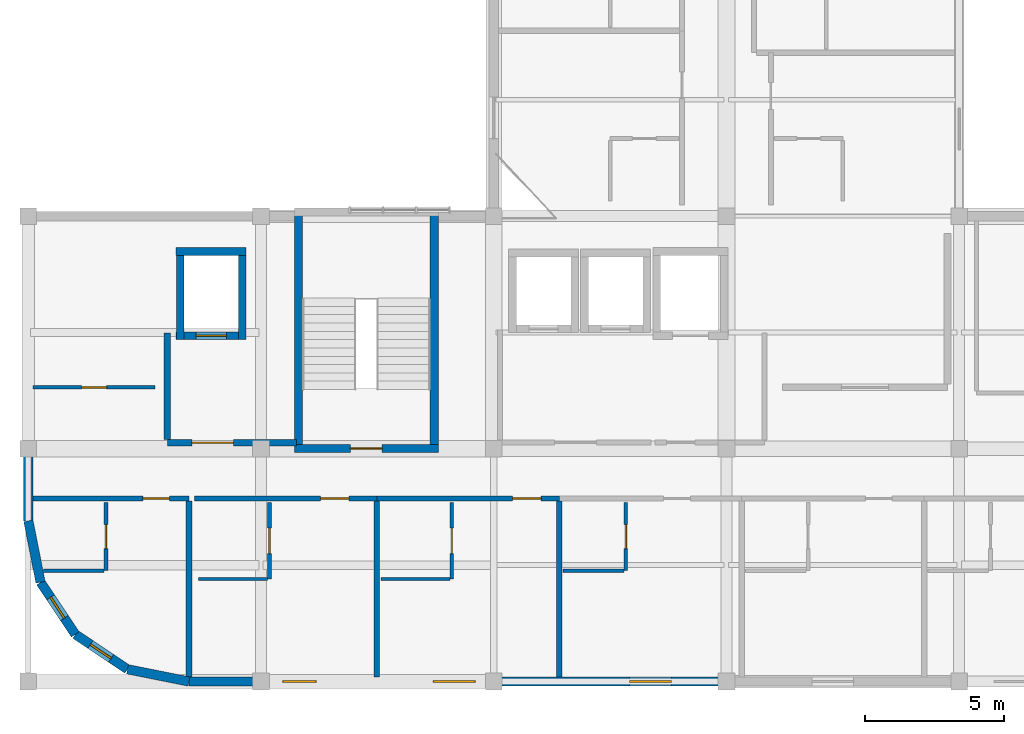
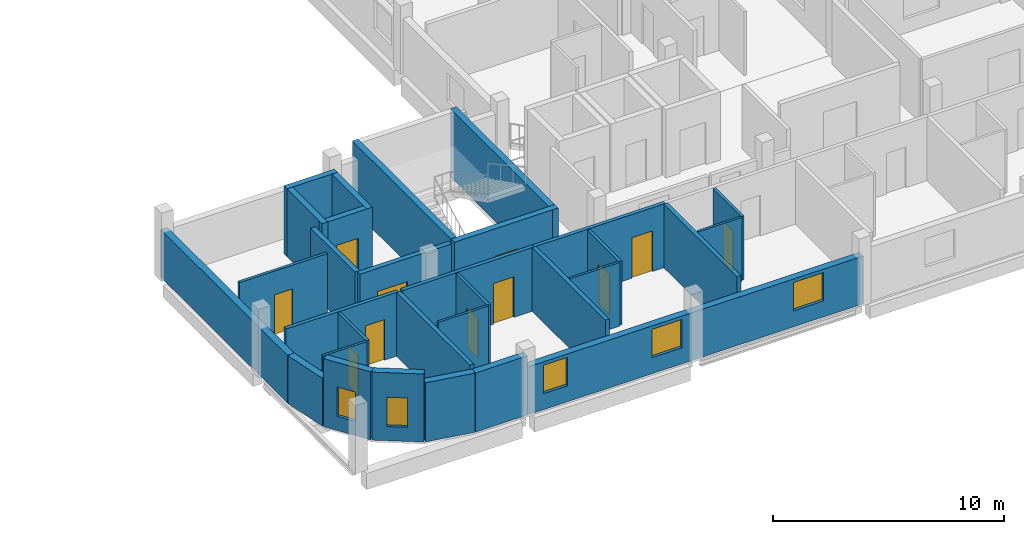
# One storey, part 11 of 24: 31 walls, 11 doors, 5 windows, 16 openings.
"""IFC4 building model written with IfcOpenShell, lengths in metres."""

from ifc_helpers import new_model, si_unit, derived_unit, direction, frame, frame_2d, origin, place, context, subcontext, project, spatial, rectangle, extrude, material, layer, layer_set, type_object, element, fill, save


model = new_model("IFC4")

# Units and contexts
model_context = context("Model", 3, precision=1e-05, world=origin(), true_north=direction((0.0, 1.0)))
body_context = subcontext(model_context, "Body", "Model", "MODEL_VIEW")
ifc_project = project(units=[si_unit("LENGTHUNIT", "METRE"), si_unit("AREAUNIT", "SQUARE_METRE"), si_unit("VOLUMEUNIT", "CUBIC_METRE"), si_unit("PLANEANGLEUNIT", "RADIAN"), si_unit("MASSUNIT", "GRAM", prefix="KILO"), derived_unit("THERMALTRANSMITTANCEUNIT", [(si_unit("POWERUNIT", "WATT"), 1), (si_unit("LENGTHUNIT", "METRE"), -2), (si_unit("THERMODYNAMICTEMPERATUREUNIT", "KELVIN"), -1)])], contexts=[model_context])

# Site, building, storey
site_placement = place(None, origin())
site = spatial("IfcSite", under=ifc_project, at=site_placement, CompositionType="ELEMENT")
building_placement = place(site_placement, origin())
building = spatial("IfcBuilding", under=site, at=building_placement, Name="Barrovel Congress Hotel", CompositionType="ELEMENT")
storey_placement = place(building_placement, frame((0.0, 0.0, 29.10009765625)))
storey = spatial("IfcBuildingStorey", under=building, at=storey_placement, Name="L07", CompositionType="ELEMENT", Elevation=29.10009765625)

# Wall
ifc_material_1 = material(Name="Fired Clay Brick Masonry", Category="masonry")
ifc_layer_1 = layer(ifc_material_1, 0.340087890625)
ifc_layer_set_1 = layer_set([ifc_layer_1], Name="Fired Clay Brick Masonry")
wall_type_1 = type_object("IfcWallType", Name="EW-BRK340", PredefinedType="STANDARD", material=ifc_layer_set_1)
wall_1_placement = place(storey_placement, frame((16.800048828125, 10.0, 0.0), z_axis=(0.0, 0.0, 1.0), x_axis=(0.195057908159, -0.980791727363, 0.0)))
element("IfcWall", 1, at=wall_1_placement, inside=storey, type_object=wall_type_1, Name="EW:L07:PROW-1", PredefinedType="STANDARD", context=body_context, shape_type="SweptSolid", body=[
    extrude(rectangle(XDim=2.262939453125, YDim=0.340087890625, at=frame_2d((1.13134765625, 0.0))), origin(), (0.0, 0.0, 1.0), 2.52978515625),
])

# Wall, opening, window
wall_2_placement = place(storey_placement, frame((17.241455078125, 7.780517578125, 0.0), z_axis=(0.0, 0.0, 1.0), x_axis=(0.555546297918, -0.831485604728, 0.0)))
wall_2 = element("IfcWall", 2, at=wall_2_placement, inside=storey, type_object=wall_type_1, Name="EW:L07:PROW-2", PredefinedType="STANDARD", context=body_context, shape_type="SweptSolid", body=[
    extrude(rectangle(XDim=2.26318359375, YDim=0.340087890625, at=frame_2d((1.131591796875, 0.0))), origin(), (0.0, 0.0, 1.0), 3.599853515625),
])
opening_1_placement = place(wall_2_placement, frame((0.64990234375, 0.0, 0.75)))
opening_1 = element("IfcOpeningElement", 3, at=opening_1_placement, cuts=wall_2, Name="Opening WN-11", PredefinedType="OPENING", context=body_context, shape_type="SweptSolid", body=[
    extrude(rectangle(XDim=0.89990234375, YDim=1.550048828125, at=frame_2d((0.449951171875, 0.77490234375))), frame((0.0, 0.18017578125, 0.0), z_axis=(0.0, -1.0, 0.0), x_axis=(1.0, 0.0, 0.0)), (0.0, 0.0, 1.0), 0.360107421875),
])
ifc_material_2 = material(Name="Double Low-E Insulated Glazing", Category="glass")
window_type_1 = type_object("IfcWindowType", Name="WIN-WN-11", PartitioningType="SINGLE_PANEL", PredefinedType="WINDOW", material=ifc_material_2)
window_1_placement = place(opening_1_placement, origin())
window_1 = element("IfcWindow", 4, at=window_1_placement, inside=storey, type_object=window_type_1, Name="WIN:L07:PROW-2", OverallHeight=1.550048828125, OverallWidth=0.89990234375, PartitioningType="SINGLE_PANEL", PredefinedType="WINDOW", context=body_context, shape_type="SweptSolid", body=[
    extrude(rectangle(XDim=0.89990234375, YDim=1.550048828125, at=frame_2d((0.449951171875, 0.77490234375))), frame((0.0, 0.030029296875, 0.0), z_axis=(0.0, -1.0, 0.0), x_axis=(1.0, 0.0, 0.0)), (0.0, 0.0, 1.0), 0.06005859375),
])
fill(opening_1, window_1)

wall_3_placement = place(storey_placement, frame((18.498779296875, 5.898681640625, 0.0), z_axis=(0.0, 0.0, 1.0), x_axis=(0.831502143458, -0.555521543618, 0.0)))
wall_3 = element("IfcWall", 5, at=wall_3_placement, inside=storey, type_object=wall_type_1, Name="EW:L07:PROW-3", PredefinedType="STANDARD", context=body_context, shape_type="SweptSolid", body=[
    extrude(rectangle(XDim=2.262939453125, YDim=0.340087890625, at=frame_2d((1.13134765625, 0.0))), origin(), (0.0, 0.0, 1.0), 3.599853515625),
])
opening_2_placement = place(wall_3_placement, frame((0.64990234375, 0.0, 0.75)))
opening_2 = element("IfcOpeningElement", 6, at=opening_2_placement, cuts=wall_3, Name="Opening WN-11", PredefinedType="OPENING", context=body_context, shape_type="SweptSolid", body=[
    extrude(rectangle(XDim=0.89990234375, YDim=1.550048828125, at=frame_2d((0.449951171875, 0.77490234375))), frame((0.0, 0.18017578125, 0.0), z_axis=(0.0, -1.0, 0.0), x_axis=(1.0, 0.0, 0.0)), (0.0, 0.0, 1.0), 0.360107421875),
])
window_2_placement = place(opening_2_placement, origin())
window_2 = element("IfcWindow", 7, at=window_2_placement, inside=storey, type_object=window_type_1, Name="WIN:L07:PROW-3", OverallHeight=1.550048828125, OverallWidth=0.89990234375, PartitioningType="SINGLE_PANEL", PredefinedType="WINDOW", context=body_context, shape_type="SweptSolid", body=[
    extrude(rectangle(XDim=0.89990234375, YDim=1.550048828125, at=frame_2d((0.449951171875, 0.77490234375))), frame((0.0, 0.030029296875, 0.0), z_axis=(0.0, -1.0, 0.0), x_axis=(1.0, 0.0, 0.0)), (0.0, 0.0, 1.0), 0.06005859375),
])
fill(opening_2, window_2)

# Wall
wall_4_placement = place(storey_placement, frame((20.38037109375, 4.6416015625, 0.0), z_axis=(0.0, 0.0, 1.0), x_axis=(0.98077519094, -0.195141038321, 0.0)))
element("IfcWall", 8, at=wall_4_placement, inside=storey, type_object=wall_type_1, Name="EW:L07:PROW-4", PredefinedType="STANDARD", context=body_context, shape_type="SweptSolid", body=[
    extrude(rectangle(XDim=2.26318359375, YDim=0.340087890625, at=frame_2d((1.131591796875, 0.0))), origin(), (0.0, 0.0, 1.0), 3.1328125),
])

# Wall, openings, windows
wall_5_placement = place(storey_placement, frame((25.199951171875, 4.199951171875, 0.0), z_axis=(0.0, 0.0, 1.0), x_axis=(1.0, 0.0, 0.0)))
wall_5 = element("IfcWall", 9, at=wall_5_placement, inside=storey, type_object=wall_type_1, Name="EW:L07:HS-S", PredefinedType="STANDARD", context=body_context, shape_type="SweptSolid", body=[
    extrude(rectangle(XDim=16.800048828125, YDim=0.340087890625, at=frame_2d((8.39990234375, 0.0))), origin(), (0.0, 0.0, 1.0), 2.52978515625),
])
opening_3_placement = place(wall_5_placement, frame((0.791748046875, 0.0, 0.85009765625)))
opening_3 = element("IfcOpeningElement", 10, at=opening_3_placement, cuts=wall_5, Name="Opening WN-06", PredefinedType="OPENING", context=body_context, shape_type="SweptSolid", body=[
    extrude(rectangle(XDim=1.199951171875, YDim=1.5, at=frame_2d((0.60009765625, 0.75))), frame((0.0, 0.18017578125, 0.0), z_axis=(0.0, -1.0, 0.0), x_axis=(1.0, 0.0, 0.0)), (0.0, 0.0, 1.0), 0.360107421875),
])
opening_4_placement = place(wall_5_placement, frame((6.22509765625, 0.0, 0.85009765625)))
opening_4 = element("IfcOpeningElement", 11, at=opening_4_placement, cuts=wall_5, Name="Opening WN-07", PredefinedType="OPENING", context=body_context, shape_type="SweptSolid", body=[
    extrude(rectangle(XDim=1.5, YDim=1.5, at=frame_2d((0.75, 0.75))), frame((0.0, 0.18017578125, 0.0), z_axis=(0.0, -1.0, 0.0), x_axis=(1.0, 0.0, 0.0)), (0.0, 0.0, 1.0), 0.360107421875),
])
opening_5_placement = place(wall_5_placement, frame((13.308349609375, 0.0, 0.85009765625)))
opening_5 = element("IfcOpeningElement", 12, at=opening_5_placement, cuts=wall_5, Name="Opening WN-07", PredefinedType="OPENING", context=body_context, shape_type="SweptSolid", body=[
    extrude(rectangle(XDim=1.5, YDim=1.5, at=frame_2d((0.75, 0.75))), frame((0.0, 0.18017578125, 0.0), z_axis=(0.0, -1.0, 0.0), x_axis=(1.0, 0.0, 0.0)), (0.0, 0.0, 1.0), 0.360107421875),
])
window_type_2 = type_object("IfcWindowType", Name="WIN-WN-06", PartitioningType="SINGLE_PANEL", PredefinedType="WINDOW", material=ifc_material_2)
window_3_placement = place(opening_3_placement, origin())
window_3 = element("IfcWindow", 13, at=window_3_placement, inside=storey, type_object=window_type_2, Name="WIN:L07:U02", OverallHeight=1.5, OverallWidth=1.199951171875, PartitioningType="SINGLE_PANEL", PredefinedType="WINDOW", context=body_context, shape_type="SweptSolid", body=[
    extrude(rectangle(XDim=1.199951171875, YDim=1.5, at=frame_2d((0.60009765625, 0.75))), frame((0.0, 0.030029296875, 0.0), z_axis=(0.0, -1.0, 0.0), x_axis=(1.0, 0.0, 0.0)), (0.0, 0.0, 1.0), 0.06005859375),
])
fill(opening_3, window_3)
window_type_3 = type_object("IfcWindowType", Name="WIN-WN-07", PartitioningType="SINGLE_PANEL", PredefinedType="WINDOW", material=ifc_material_2)
window_4_placement = place(opening_4_placement, origin())
window_4 = element("IfcWindow", 14, at=window_4_placement, inside=storey, type_object=window_type_3, Name="WIN:L07:U03", OverallHeight=1.5, OverallWidth=1.5, PartitioningType="SINGLE_PANEL", PredefinedType="WINDOW", context=body_context, shape_type="SweptSolid", body=[
    extrude(rectangle(XDim=1.5, YDim=1.5, at=frame_2d((0.75, 0.75))), frame((0.0, 0.030029296875, 0.0), z_axis=(0.0, -1.0, 0.0), x_axis=(1.0, 0.0, 0.0)), (0.0, 0.0, 1.0), 0.06005859375),
])
fill(opening_4, window_4)
window_5_placement = place(opening_5_placement, origin())
window_5 = element("IfcWindow", 15, at=window_5_placement, inside=storey, type_object=window_type_3, Name="WIN:L07:U04", OverallHeight=1.5, OverallWidth=1.5, PartitioningType="SINGLE_PANEL", PredefinedType="WINDOW", context=body_context, shape_type="SweptSolid", body=[
    extrude(rectangle(XDim=1.5, YDim=1.5, at=frame_2d((0.75, 0.75))), frame((0.0, 0.030029296875, 0.0), z_axis=(0.0, -1.0, 0.0), x_axis=(1.0, 0.0, 0.0)), (0.0, 0.0, 1.0), 0.06005859375),
])
fill(opening_5, window_5)

# Walls
wall_6_placement = place(storey_placement, frame((16.800048828125, 21.0, 0.0), z_axis=(0.0, 0.0, 1.0), x_axis=(0.0, -1.0, 0.0)))
element("IfcWall", 16, at=wall_6_placement, inside=storey, type_object=wall_type_1, Name="EW:L07:HS-SW", PredefinedType="STANDARD", context=body_context, shape_type="SweptSolid", body=[
    extrude(rectangle(XDim=11.0, YDim=0.340087890625, at=frame_2d((5.5, 0.0))), origin(), (0.0, 0.0, 1.0), 2.52978515625),
])
wall_7_placement = place(storey_placement, frame((22.60009765625, 4.199951171875, 0.0), z_axis=(0.0, 0.0, 1.0), x_axis=(1.0, 0.0, 0.0)))
element("IfcWall", 17, at=wall_7_placement, inside=storey, type_object=wall_type_1, Name="EW:L07:HS-S:P01", PredefinedType="STANDARD", context=body_context, shape_type="SweptSolid", body=[
    extrude(rectangle(XDim=2.599853515625, YDim=0.340087890625, at=frame_2d((1.2998046875, 0.0))), origin(), (0.0, 0.0, 1.0), 3.1328125),
])

# Wall, opening, door
ifc_material_3 = material(Name="Gypsum Acoustic Stud", Category="gypsum")
ifc_layer_2 = layer(ifc_material_3, 0.179931640625)
ifc_layer_set_2 = layer_set([ifc_layer_2], Name="Gypsum Acoustic Stud")
wall_type_2 = type_object("IfcWallType", Name="PW-ACU-180", PredefinedType="PARTITIONING", material=ifc_layer_set_2)
wall_8_placement = place(storey_placement, frame((16.969970703125, 10.800048828125, 0.0), z_axis=(0.0, 0.0, 1.0), x_axis=(1.0, 0.0, 0.0)))
wall_8 = element("IfcWall", 18, at=wall_8_placement, inside=storey, type_object=wall_type_2, Name="PW:L07:U01:COR", PredefinedType="PARTITIONING", context=body_context, shape_type="SweptSolid", body=[
    extrude(rectangle(XDim=5.630126953125, YDim=0.179931640625, at=frame_2d((2.81494140625, 0.0))), origin(), (0.0, 0.0, 1.0), 3.375),
])
opening_6_placement = place(wall_8_placement, frame((3.965087890625, 0.0, 0.0)))
opening_6 = element("IfcOpeningElement", 19, at=opening_6_placement, cuts=wall_8, Name="Opening ID-HTL", PredefinedType="OPENING", context=body_context, shape_type="SweptSolid", body=[
    extrude(rectangle(XDim=0.9599609375, YDim=2.14990234375, at=frame_2d((0.47998046875, 1.074951171875))), frame((0.0, 0.10009765625, 0.0), z_axis=(0.0, -1.0, 0.0), x_axis=(1.0, 0.0, 0.0)), (0.0, 0.0, 1.0), 0.199951171875),
])
ifc_material_4 = material(Name="Solid Oak Acoustic Timber Door", Category="wood")
door_type_1 = type_object("IfcDoorType", Name="IDR-ID-HTL", OperationType="NOTDEFINED", PredefinedType="DOOR", material=ifc_material_4)
door_1_placement = place(opening_6_placement, origin())
door_1 = element("IfcDoor", 20, at=door_1_placement, inside=storey, type_object=door_type_1, Name="DR:L07:U01:ENT", OperationType="SINGLE_SWING_RIGHT", OverallHeight=2.14990234375, OverallWidth=0.9599609375, PredefinedType="DOOR", context=body_context, shape_type="SweptSolid", body=[
    extrude(rectangle(XDim=0.9599609375, YDim=2.14990234375, at=frame_2d((0.47998046875, 1.074951171875))), frame((0.0, 0.02490234375, 0.0), z_axis=(0.0, -1.0, 0.0), x_axis=(1.0, 0.0, 0.0)), (0.0, 0.0, 1.0), 0.050048828125),
])
fill(opening_6, door_1)

wall_9_placement = place(storey_placement, frame((22.800048828125, 10.800048828125, 0.0), z_axis=(0.0, 0.0, 1.0), x_axis=(1.0, 0.0, 0.0)))
wall_9 = element("IfcWall", 21, at=wall_9_placement, inside=storey, type_object=wall_type_2, Name="PW:L07:U02:COR", PredefinedType="PARTITIONING", context=body_context, shape_type="SweptSolid", body=[
    extrude(rectangle(XDim=6.583251953125, YDim=0.179931640625, at=frame_2d((3.29150390625, 0.0))), origin(), (0.0, 0.0, 1.0), 3.375),
])
opening_7_placement = place(wall_9_placement, frame((4.552490234375, 0.0, 0.0)))
opening_7 = element("IfcOpeningElement", 22, at=opening_7_placement, cuts=wall_9, Name="Opening ID-ACC", PredefinedType="OPENING", context=body_context, shape_type="SweptSolid", body=[
    extrude(rectangle(XDim=1.02001953125, YDim=2.14990234375, at=frame_2d((0.510009765625, 1.074951171875))), frame((0.0, 0.10009765625, 0.0), z_axis=(0.0, -1.0, 0.0), x_axis=(1.0, 0.0, 0.0)), (0.0, 0.0, 1.0), 0.199951171875),
])
door_type_2 = type_object("IfcDoorType", Name="IDR-ID-ACC", OperationType="NOTDEFINED", PredefinedType="DOOR", material=ifc_material_4)
door_2_placement = place(opening_7_placement, origin())
door_2 = element("IfcDoor", 23, at=door_2_placement, inside=storey, type_object=door_type_2, Name="DR:L07:U02:ENT", OperationType="SINGLE_SWING_RIGHT", OverallHeight=2.14990234375, OverallWidth=1.02001953125, PredefinedType="DOOR", context=body_context, shape_type="SweptSolid", body=[
    extrude(rectangle(XDim=1.02001953125, YDim=2.14990234375, at=frame_2d((0.510009765625, 1.074951171875))), frame((0.0, 0.02490234375, 0.0), z_axis=(0.0, -1.0, 0.0), x_axis=(1.0, 0.0, 0.0)), (0.0, 0.0, 1.0), 0.050048828125),
])
fill(opening_7, door_2)

wall_10_placement = place(storey_placement, frame((29.38330078125, 10.800048828125, 0.0), z_axis=(0.0, 0.0, 1.0), x_axis=(1.0, 0.0, 0.0)))
wall_10 = element("IfcWall", 24, at=wall_10_placement, inside=storey, type_object=wall_type_2, Name="PW:L07:U03:COR", PredefinedType="PARTITIONING", context=body_context, shape_type="SweptSolid", body=[
    extrude(rectangle(XDim=6.58349609375, YDim=0.179931640625, at=frame_2d((3.291748046875, 0.0))), origin(), (0.0, 0.0, 1.0), 3.375),
])
opening_8_placement = place(wall_10_placement, frame((4.902587890625, 0.0, 0.0)))
opening_8 = element("IfcOpeningElement", 25, at=opening_8_placement, cuts=wall_10, Name="Opening ID-ACC", PredefinedType="OPENING", context=body_context, shape_type="SweptSolid", body=[
    extrude(rectangle(XDim=1.02001953125, YDim=2.14990234375, at=frame_2d((0.510009765625, 1.074951171875))), frame((0.0, 0.10009765625, 0.0), z_axis=(0.0, -1.0, 0.0), x_axis=(1.0, 0.0, 0.0)), (0.0, 0.0, 1.0), 0.199951171875),
])
door_3_placement = place(opening_8_placement, origin())
door_3 = element("IfcDoor", 26, at=door_3_placement, inside=storey, type_object=door_type_2, Name="DR:L07:U03:ENT", OperationType="SINGLE_SWING_RIGHT", OverallHeight=2.14990234375, OverallWidth=1.02001953125, PredefinedType="DOOR", context=body_context, shape_type="SweptSolid", body=[
    extrude(rectangle(XDim=1.02001953125, YDim=2.14990234375, at=frame_2d((0.510009765625, 1.074951171875))), frame((0.0, 0.02490234375, 0.0), z_axis=(0.0, -1.0, 0.0), x_axis=(1.0, 0.0, 0.0)), (0.0, 0.0, 1.0), 0.050048828125),
])
fill(opening_8, door_3)

# Walls
ifc_layer_3 = layer(ifc_material_3, 0.1201171875)
ifc_layer_set_3 = layer_set([ifc_layer_3], Name="Gypsum Acoustic Stud")
wall_type_3 = type_object("IfcWallType", Name="PW-INT-120", PredefinedType="PARTITIONING", material=ifc_layer_set_3)
wall_11_placement = place(storey_placement, frame((17.340087890625, 8.199951171875, 0.0), z_axis=(0.0, 0.0, 1.0), x_axis=(1.0, 0.0, 0.0)))
element("IfcWall", 27, at=wall_11_placement, inside=storey, type_object=wall_type_3, Name="PW:L07:U01:B2", PredefinedType="PARTITIONING", context=body_context, shape_type="SweptSolid", body=[
    extrude(rectangle(XDim=2.18994140625, YDim=0.1201171875, at=frame_2d((1.094970703125, 0.0))), origin(), (0.0, 0.0, 1.0), 3.375),
])
for number, where, z_axis, x_axis, name in (
    (28, (22.93994140625, 7.89990234375, 0.0), (0.0, 0.0, 1.0), (1.0, 0.0, 0.0), "PW:L07:U02:B2"),
    (29, (29.523193359375, 7.89990234375, 0.0), (0.0, 0.0, 1.0), (1.0, 0.0, 0.0), "PW:L07:U03:B2"),
):
    element("IfcWall", number, at=place(storey_placement, frame(where, z_axis=z_axis, x_axis=x_axis)), inside=storey, type_object=wall_type_3, Name=name, PredefinedType="PARTITIONING", context=body_context, shape_type="SweptSolid", body=[
        extrude(rectangle(XDim=2.489990234375, YDim=0.1201171875, at=frame_2d((1.2451171875, 0.0))), origin(), (0.0, 0.0, 1.0), 3.375),
    ])
wall_12_placement = place(storey_placement, frame((36.106689453125, 8.199951171875, 0.0), z_axis=(0.0, 0.0, 1.0), x_axis=(1.0, 0.0, 0.0)))
element("IfcWall", 30, at=wall_12_placement, inside=storey, type_object=wall_type_3, Name="PW:L07:U04:B2", PredefinedType="PARTITIONING", context=body_context, shape_type="SweptSolid", body=[
    extrude(rectangle(XDim=2.18994140625, YDim=0.1201171875, at=frame_2d((1.094970703125, 0.0))), origin(), (0.0, 0.0, 1.0), 3.375),
])
ifc_layer_4 = layer(ifc_material_1, 0.199951171875)
ifc_layer_set_4 = layer_set([ifc_layer_4], Name="Fired Clay Brick Masonry")
wall_type_4 = type_object("IfcWallType", Name="PW-MAS-200", PredefinedType="PARTITIONING", material=ifc_layer_set_4)
for number, where, z_axis, x_axis, name in (
    (31, (22.60009765625, 4.3701171875, 0.0), (0.0, 0.0, 1.0), (0.0, 1.0, 0.0), "PW:L07:U01:DEM"),
    (32, (29.38330078125, 4.3701171875, 0.0), (0.0, 0.0, 1.0), (0.0, 1.0, 0.0), "PW:L07:U02:DEM"),
    (33, (35.966796875, 4.3701171875, 0.0), (0.0, 0.0, 1.0), (0.0, 1.0, 0.0), "PW:L07:U03:DEM"),
):
    element("IfcWall", number, at=place(storey_placement, frame(where, z_axis=z_axis, x_axis=x_axis)), inside=storey, type_object=wall_type_4, Name=name, PredefinedType="PARTITIONING", context=body_context, shape_type="SweptSolid", body=[
        extrude(rectangle(XDim=6.33984375, YDim=0.199951171875, at=frame_2d((3.169921875, 0.0))), origin(), (0.0, 0.0, 1.0), 3.375),
    ])

# Wall, opening, door
ifc_layer_5 = layer(ifc_material_1, 0.239990234375)
ifc_layer_set_5 = layer_set([ifc_layer_5], Name="Fired Clay Brick Masonry")
wall_type_5 = type_object("IfcWallType", Name="PW-MAS-240", PredefinedType="PARTITIONING", material=ifc_layer_set_5)
wall_13_placement = place(storey_placement, frame((21.820068359375, 12.820068359375, 0.0), z_axis=(0.0, 0.0, 1.0), x_axis=(1.0, 0.0, 0.0)))
wall_13 = element("IfcWall", 34, at=wall_13_placement, inside=storey, type_object=wall_type_5, Name="RW:SP:L07:FFL-1:S", PredefinedType="PARTITIONING", context=body_context, shape_type="SweptSolid", body=[
    extrude(rectangle(XDim=4.659912109375, YDim=0.239990234375, at=frame_2d((2.330078125, 0.0))), origin(), (0.0, 0.0, 1.0), 3.375),
])
opening_9_placement = place(wall_13_placement, frame((0.8798828125, 0.0, 0.0)))
opening_9 = element("IfcOpeningElement", 35, at=opening_9_placement, cuts=wall_13, Name="Opening ID-FFL", PredefinedType="OPENING", context=body_context, shape_type="SweptSolid", body=[
    extrude(rectangle(XDim=1.5, YDim=2.14990234375, at=frame_2d((0.75, 1.074951171875))), frame((0.0, 0.1298828125, 0.0), z_axis=(0.0, -1.0, 0.0), x_axis=(1.0, 0.0, 0.0)), (0.0, 0.0, 1.0), 0.260009765625),
])
ifc_material_5 = material(Name="Painted Hollow-Metal Steel Door", Category="steel")
door_type_3 = type_object("IfcDoorType", Name="IDR-ID-FFL", OperationType="NOTDEFINED", PredefinedType="DOOR", material=ifc_material_5)
door_4_placement = place(opening_9_placement, origin())
door_4 = element("IfcDoor", 36, at=door_4_placement, inside=storey, type_object=door_type_3, Name="RD:SP:L07:FFL-1", OperationType="DOUBLE_DOOR_SINGLE_SWING", OverallHeight=2.14990234375, OverallWidth=1.5, PredefinedType="DOOR", context=body_context, shape_type="SweptSolid", body=[
    extrude(rectangle(XDim=1.5, YDim=2.14990234375, at=frame_2d((0.75, 1.074951171875))), frame((0.0, 0.02490234375, 0.0), z_axis=(0.0, -1.0, 0.0), x_axis=(1.0, 0.0, 0.0)), (0.0, 0.0, 1.0), 0.050048828125),
])
fill(opening_9, door_4)

# Wall
wall_14_placement = place(storey_placement, frame((21.820068359375, 12.93994140625, 0.0), z_axis=(0.0, 0.0, 1.0), x_axis=(0.0, 1.0, 0.0)))
element("IfcWall", 37, at=wall_14_placement, inside=storey, type_object=wall_type_5, Name="RW:SP:L07:FFL-1:W", PredefinedType="PARTITIONING", context=body_context, shape_type="SweptSolid", body=[
    extrude(rectangle(XDim=3.840087890625, YDim=0.239990234375, at=frame_2d((1.919921875, 0.0))), origin(), (0.0, 0.0, 1.0), 3.375),
])

# Wall, opening, door
ifc_material_6 = material(Name="Gypsum Moisture Board", Category="gypsum")
ifc_layer_6 = layer(ifc_material_6, 0.139892578125)
ifc_layer_set_6 = layer_set([ifc_layer_6], Name="Gypsum Moisture Board")
wall_type_6 = type_object("IfcWallType", Name="PW-WET-140", PredefinedType="PARTITIONING", material=ifc_layer_set_6)
wall_15_placement = place(storey_placement, frame((19.60009765625, 8.199951171875, 0.0), z_axis=(0.0, 0.0, 1.0), x_axis=(0.0, 1.0, 0.0)))
wall_15 = element("IfcWall", 38, at=wall_15_placement, inside=storey, type_object=wall_type_6, Name="PW:L07:U01:B1", PredefinedType="PARTITIONING", context=body_context, shape_type="SweptSolid", body=[
    extrude(rectangle(XDim=2.4599609375, YDim=0.139892578125, at=frame_2d((1.22998046875, 0.0))), origin(), (0.0, 0.0, 1.0), 3.375),
])
opening_10_placement = place(wall_15_placement, frame((0.800048828125, 0.0, 0.0)))
opening_10 = element("IfcOpeningElement", 39, at=opening_10_placement, cuts=wall_15, Name="Opening ID-ENS", PredefinedType="OPENING", context=body_context, shape_type="SweptSolid", body=[
    extrude(rectangle(XDim=0.860107421875, YDim=2.10009765625, at=frame_2d((0.43017578125, 1.050048828125))), frame((0.0, 0.080078125, 0.0), z_axis=(0.0, -1.0, 0.0), x_axis=(1.0, 0.0, 0.0)), (0.0, 0.0, 1.0), 0.159912109375),
])
ifc_material_7 = material(Name="Lacquered Timber Moisture Door", Category="wood")
door_type_4 = type_object("IfcDoorType", Name="IDR-ID-ENS", OperationType="NOTDEFINED", PredefinedType="DOOR", material=ifc_material_7)
door_5_placement = place(opening_10_placement, origin())
door_5 = element("IfcDoor", 40, at=door_5_placement, inside=storey, type_object=door_type_4, Name="DR:L07:U01:ENS", OperationType="SINGLE_SWING_LEFT", OverallHeight=2.10009765625, OverallWidth=0.860107421875, PredefinedType="DOOR", context=body_context, shape_type="SweptSolid", body=[
    extrude(rectangle(XDim=0.860107421875, YDim=2.10009765625, at=frame_2d((0.43017578125, 1.050048828125))), frame((0.0, 0.02490234375, 0.0), z_axis=(0.0, -1.0, 0.0), x_axis=(1.0, 0.0, 0.0)), (0.0, 0.0, 1.0), 0.050048828125),
])
fill(opening_10, door_5)

wall_16_placement = place(storey_placement, frame((25.5, 7.89990234375, 0.0), z_axis=(0.0, 0.0, 1.0), x_axis=(0.0, 1.0, 0.0)))
wall_16 = element("IfcWall", 41, at=wall_16_placement, inside=storey, type_object=wall_type_6, Name="PW:L07:U02:B1", PredefinedType="PARTITIONING", context=body_context, shape_type="SweptSolid", body=[
    extrude(rectangle(XDim=2.760009765625, YDim=0.139892578125, at=frame_2d((1.3798828125, 0.0))), origin(), (0.0, 0.0, 1.0), 3.375),
])
opening_11_placement = place(wall_16_placement, frame((0.919921875, 0.0, 0.0)))
opening_11 = element("IfcOpeningElement", 42, at=opening_11_placement, cuts=wall_16, Name="Opening ID-EA2", PredefinedType="OPENING", context=body_context, shape_type="SweptSolid", body=[
    extrude(rectangle(XDim=0.919921875, YDim=2.10009765625, at=frame_2d((0.4599609375, 1.050048828125))), frame((0.0, 0.080078125, 0.0), z_axis=(0.0, -1.0, 0.0), x_axis=(1.0, 0.0, 0.0)), (0.0, 0.0, 1.0), 0.159912109375),
])
door_type_5 = type_object("IfcDoorType", Name="IDR-ID-EA2", OperationType="NOTDEFINED", PredefinedType="DOOR", material=ifc_material_7)
door_6_placement = place(opening_11_placement, origin())
door_6 = element("IfcDoor", 43, at=door_6_placement, inside=storey, type_object=door_type_5, Name="DR:L07:U02:ENS", OperationType="SINGLE_SWING_LEFT", OverallHeight=2.10009765625, OverallWidth=0.919921875, PredefinedType="DOOR", context=body_context, shape_type="SweptSolid", body=[
    extrude(rectangle(XDim=0.919921875, YDim=2.10009765625, at=frame_2d((0.4599609375, 1.050048828125))), frame((0.0, 0.02490234375, 0.0), z_axis=(0.0, -1.0, 0.0), x_axis=(1.0, 0.0, 0.0)), (0.0, 0.0, 1.0), 0.050048828125),
])
fill(opening_11, door_6)

wall_17_placement = place(storey_placement, frame((32.083251953125, 7.89990234375, 0.0), z_axis=(0.0, 0.0, 1.0), x_axis=(0.0, 1.0, 0.0)))
wall_17 = element("IfcWall", 44, at=wall_17_placement, inside=storey, type_object=wall_type_6, Name="PW:L07:U03:B1", PredefinedType="PARTITIONING", context=body_context, shape_type="SweptSolid", body=[
    extrude(rectangle(XDim=2.760009765625, YDim=0.139892578125, at=frame_2d((1.3798828125, 0.0))), origin(), (0.0, 0.0, 1.0), 3.375),
])
opening_12_placement = place(wall_17_placement, frame((0.919921875, 0.0, 0.0)))
opening_12 = element("IfcOpeningElement", 45, at=opening_12_placement, cuts=wall_17, Name="Opening ID-EA2", PredefinedType="OPENING", context=body_context, shape_type="SweptSolid", body=[
    extrude(rectangle(XDim=0.919921875, YDim=2.10009765625, at=frame_2d((0.4599609375, 1.050048828125))), frame((0.0, 0.080078125, 0.0), z_axis=(0.0, -1.0, 0.0), x_axis=(1.0, 0.0, 0.0)), (0.0, 0.0, 1.0), 0.159912109375),
])
door_7_placement = place(opening_12_placement, origin())
door_7 = element("IfcDoor", 46, at=door_7_placement, inside=storey, type_object=door_type_5, Name="DR:L07:U03:ENS", OperationType="SINGLE_SWING_LEFT", OverallHeight=2.10009765625, OverallWidth=0.919921875, PredefinedType="DOOR", context=body_context, shape_type="SweptSolid", body=[
    extrude(rectangle(XDim=0.919921875, YDim=2.10009765625, at=frame_2d((0.4599609375, 1.050048828125))), frame((0.0, 0.02490234375, 0.0), z_axis=(0.0, -1.0, 0.0), x_axis=(1.0, 0.0, 0.0)), (0.0, 0.0, 1.0), 0.050048828125),
])
fill(opening_12, door_7)

wall_18_placement = place(storey_placement, frame((38.36669921875, 8.199951171875, 0.0), z_axis=(0.0, 0.0, 1.0), x_axis=(0.0, 1.0, 0.0)))
wall_18 = element("IfcWall", 47, at=wall_18_placement, inside=storey, type_object=wall_type_6, Name="PW:L07:U04:B1", PredefinedType="PARTITIONING", context=body_context, shape_type="SweptSolid", body=[
    extrude(rectangle(XDim=2.4599609375, YDim=0.139892578125, at=frame_2d((1.22998046875, 0.0))), origin(), (0.0, 0.0, 1.0), 3.375),
])
opening_13_placement = place(wall_18_placement, frame((0.800048828125, 0.0, 0.0)))
opening_13 = element("IfcOpeningElement", 48, at=opening_13_placement, cuts=wall_18, Name="Opening ID-ENS", PredefinedType="OPENING", context=body_context, shape_type="SweptSolid", body=[
    extrude(rectangle(XDim=0.860107421875, YDim=2.10009765625, at=frame_2d((0.43017578125, 1.050048828125))), frame((0.0, 0.080078125, 0.0), z_axis=(0.0, -1.0, 0.0), x_axis=(1.0, 0.0, 0.0)), (0.0, 0.0, 1.0), 0.159912109375),
])
door_8_placement = place(opening_13_placement, origin())
door_8 = element("IfcDoor", 49, at=door_8_placement, inside=storey, type_object=door_type_4, Name="DR:L07:U04:ENS", OperationType="SINGLE_SWING_LEFT", OverallHeight=2.10009765625, OverallWidth=0.860107421875, PredefinedType="DOOR", context=body_context, shape_type="SweptSolid", body=[
    extrude(rectangle(XDim=0.860107421875, YDim=2.10009765625, at=frame_2d((0.43017578125, 1.050048828125))), frame((0.0, 0.02490234375, 0.0), z_axis=(0.0, -1.0, 0.0), x_axis=(1.0, 0.0, 0.0)), (0.0, 0.0, 1.0), 0.050048828125),
])
fill(opening_13, door_8)

wall_19_placement = place(storey_placement, frame((16.969970703125, 14.820068359375, 0.0), z_axis=(0.0, 0.0, 1.0), x_axis=(1.0, 0.0, 0.0)))
wall_19 = element("IfcWall", 50, at=wall_19_placement, inside=storey, type_object=wall_type_6, Name="RW:SP:L07:HKP:S", PredefinedType="PARTITIONING", context=body_context, shape_type="SweptSolid", body=[
    extrude(rectangle(XDim=4.409912109375, YDim=0.139892578125, at=frame_2d((2.205078125, 0.0))), origin(), (0.0, 0.0, 1.0), 3.375),
])
opening_14_placement = place(wall_19_placement, frame((1.7548828125, 0.0, 0.0)))
opening_14 = element("IfcOpeningElement", 51, at=opening_14_placement, cuts=wall_19, Name="Opening ID-WC1", PredefinedType="OPENING", context=body_context, shape_type="SweptSolid", body=[
    extrude(rectangle(XDim=0.89990234375, YDim=2.1201171875, at=frame_2d((0.449951171875, 1.06005859375))), frame((0.0, 0.080078125, 0.0), z_axis=(0.0, -1.0, 0.0), x_axis=(1.0, 0.0, 0.0)), (0.0, 0.0, 1.0), 0.159912109375),
])
door_type_6 = type_object("IfcDoorType", Name="IDR-ID-WC1", OperationType="NOTDEFINED", PredefinedType="DOOR", material=ifc_material_7)
door_9_placement = place(opening_14_placement, origin())
door_9 = element("IfcDoor", 52, at=door_9_placement, inside=storey, type_object=door_type_6, Name="RD:SP:L07:HKP", OperationType="SINGLE_SWING_RIGHT", OverallHeight=2.1201171875, OverallWidth=0.89990234375, PredefinedType="DOOR", context=body_context, shape_type="SweptSolid", body=[
    extrude(rectangle(XDim=0.89990234375, YDim=2.1201171875, at=frame_2d((0.449951171875, 1.06005859375))), frame((0.0, 0.02490234375, 0.0), z_axis=(0.0, -1.0, 0.0), x_axis=(1.0, 0.0, 0.0)), (0.0, 0.0, 1.0), 0.050048828125),
])
fill(opening_14, door_9)

ifc_material_8 = material(Name="Concrete C40", Category="concrete")
ifc_layer_7 = layer(ifc_material_8, 0.280029296875)
ifc_layer_set_7 = layer_set([ifc_layer_7], Name="Concrete C40")
wall_type_7 = type_object("IfcWallType", Name="SW-C40-280", PredefinedType="SHEAR", material=ifc_layer_set_7)
wall_20_placement = place(storey_placement, frame((22.139892578125, 16.679931640625, 0.0), z_axis=(0.0, 0.0, 1.0), x_axis=(1.0, 0.0, 0.0)))
wall_20 = element("IfcWall", 53, at=wall_20_placement, inside=storey, type_object=wall_type_7, Name="LSH:FL-1:L07:S", PredefinedType="SHEAR", context=body_context, shape_type="SweptSolid", body=[
    extrude(rectangle(XDim=2.52001953125, YDim=0.280029296875, at=frame_2d((1.260009765625, 0.0))), origin(), (0.0, 0.0, 1.0), 3.599853515625),
])
opening_15_placement = place(wall_20_placement, frame((0.7099609375, 0.0, 0.0)))
opening_15 = element("IfcOpeningElement", 54, at=opening_15_placement, cuts=wall_20, Name="Opening LD-FF", PredefinedType="OPENING", context=body_context, shape_type="SweptSolid", body=[
    extrude(rectangle(XDim=1.10009765625, YDim=2.199951171875, at=frame_2d((0.550048828125, 1.10009765625))), frame((0.0, 0.14990234375, 0.0), z_axis=(0.0, -1.0, 0.0), x_axis=(1.0, 0.0, 0.0)), (0.0, 0.0, 1.0), 0.300048828125),
])
ifc_material_9 = material(Name="Brushed Stainless Steel", Category="steel")
door_type_7 = type_object("IfcDoorType", Name="IDR-LD-FF", OperationType="NOTDEFINED", PredefinedType="DOOR", material=ifc_material_9)
door_10_placement = place(opening_15_placement, origin())
door_10 = element("IfcDoor", 55, at=door_10_placement, inside=storey, type_object=door_type_7, Name="Lift Landing Door LD-FL-1-L07", OperationType="SLIDING_TO_LEFT", OverallHeight=2.199951171875, OverallWidth=1.10009765625, PredefinedType="DOOR", context=body_context, shape_type="SweptSolid", body=[
    extrude(rectangle(XDim=1.10009765625, YDim=2.199951171875, at=frame_2d((0.550048828125, 1.10009765625))), frame((0.0, 0.02490234375, 0.0), z_axis=(0.0, -1.0, 0.0), x_axis=(1.0, 0.0, 0.0)), (0.0, 0.0, 1.0), 0.050048828125),
])
fill(opening_15, door_10)

# Walls
wall_21_placement = place(storey_placement, frame((24.52001953125, 16.5400390625, 0.0), z_axis=(0.0, 0.0, 1.0), x_axis=(0.0, 1.0, 0.0)))
element("IfcWall", 56, at=wall_21_placement, inside=storey, type_object=wall_type_7, Name="LSH:FL-1:L07:E", PredefinedType="SHEAR", context=body_context, shape_type="SweptSolid", body=[
    extrude(rectangle(XDim=3.320068359375, YDim=0.280029296875, at=frame_2d((1.66015625, 0.0))), origin(), (0.0, 0.0, 1.0), 3.599853515625),
])
wall_22_placement = place(storey_placement, frame((24.659912109375, 19.719970703125, 0.0), z_axis=(0.0, 0.0, 1.0), x_axis=(-1.0, 0.0, 0.0)))
element("IfcWall", 57, at=wall_22_placement, inside=storey, type_object=wall_type_7, Name="LSH:FL-1:L07:N", PredefinedType="SHEAR", context=body_context, shape_type="SweptSolid", body=[
    extrude(rectangle(XDim=2.52001953125, YDim=0.280029296875, at=frame_2d((1.260009765625, 0.0))), origin(), (0.0, 0.0, 1.0), 3.599853515625),
])
wall_23_placement = place(storey_placement, frame((22.280029296875, 19.860107421875, 0.0), z_axis=(0.0, 0.0, 1.0), x_axis=(0.0, -1.0, 0.0)))
element("IfcWall", 58, at=wall_23_placement, inside=storey, type_object=wall_type_7, Name="LSH:FL-1:L07:W", PredefinedType="SHEAR", context=body_context, shape_type="SweptSolid", body=[
    extrude(rectangle(XDim=3.320068359375, YDim=0.280029296875, at=frame_2d((1.66015625, 0.0))), origin(), (0.0, 0.0, 1.0), 3.599853515625),
])

# Wall, opening, door
ifc_layer_8 = layer(ifc_material_8, 0.300048828125)
ifc_layer_set_8 = layer_set([ifc_layer_8], Name="Concrete C40")
wall_type_8 = type_object("IfcWallType", Name="SW-C40-300", PredefinedType="SHEAR", material=ifc_layer_set_8)
wall_24_placement = place(storey_placement, frame((26.39990234375, 12.610107421875, 0.0), z_axis=(0.0, 0.0, 1.0), x_axis=(1.0, 0.0, 0.0)))
wall_24 = element("IfcWall", 59, at=wall_24_placement, inside=storey, type_object=wall_type_8, Name="SHW:XS-01:L07:S", PredefinedType="SHEAR", context=body_context, shape_type="SweptSolid", body=[
    extrude(rectangle(XDim=5.2001953125, YDim=0.300048828125, at=frame_2d((2.60009765625, 0.0))), origin(), (0.0, 0.0, 1.0), 3.599853515625),
])
opening_16_placement = place(wall_24_placement, frame((2.02490234375, 0.0, 0.0)))
opening_16 = element("IfcOpeningElement", 60, at=opening_16_placement, cuts=wall_24, Name="Opening ID-ST1", PredefinedType="OPENING", context=body_context, shape_type="SweptSolid", body=[
    extrude(rectangle(XDim=1.14990234375, YDim=2.14990234375, at=frame_2d((0.574951171875, 1.074951171875))), frame((0.0, 0.16015625, 0.0), z_axis=(0.0, -1.0, 0.0), x_axis=(1.0, 0.0, 0.0)), (0.0, 0.0, 1.0), 0.320068359375),
])
door_type_8 = type_object("IfcDoorType", Name="IDR-ID-ST1", OperationType="NOTDEFINED", PredefinedType="DOOR", material=ifc_material_5)
door_11_placement = place(opening_16_placement, origin())
door_11 = element("IfcDoor", 61, at=door_11_placement, inside=storey, type_object=door_type_8, Name="Stair Core Fire Door XS-01-L07", OperationType="SINGLE_SWING_LEFT", OverallHeight=2.14990234375, OverallWidth=1.14990234375, PredefinedType="DOOR", context=body_context, shape_type="SweptSolid", body=[
    extrude(rectangle(XDim=1.14990234375, YDim=2.14990234375, at=frame_2d((0.574951171875, 1.074951171875))), frame((0.0, 0.02490234375, 0.0), z_axis=(0.0, -1.0, 0.0), x_axis=(1.0, 0.0, 0.0)), (0.0, 0.0, 1.0), 0.050048828125),
])
fill(opening_16, door_11)

# Walls
for number, where, z_axis, x_axis, name in (
    (62, (31.449951171875, 12.4599609375, 0.0), (0.0, 0.0, 1.0), (0.0, 1.0, 0.0), "SHW:XS-01:L07:E"),
    (63, (26.550048828125, 21.300048828125, 0.0), (0.0, 0.0, 1.0), (0.0, -1.0, 0.0), "SHW:XS-01:L07:W"),
):
    element("IfcWall", number, at=place(storey_placement, frame(where, z_axis=z_axis, x_axis=x_axis)), inside=storey, type_object=wall_type_8, Name=name, PredefinedType="SHEAR", context=body_context, shape_type="SweptSolid", body=[
        extrude(rectangle(XDim=8.840087890625, YDim=0.300048828125, at=frame_2d((4.419921875, 0.0))), origin(), (0.0, 0.0, 1.0), 3.599853515625),
    ])

save(model, "model.ifc")
